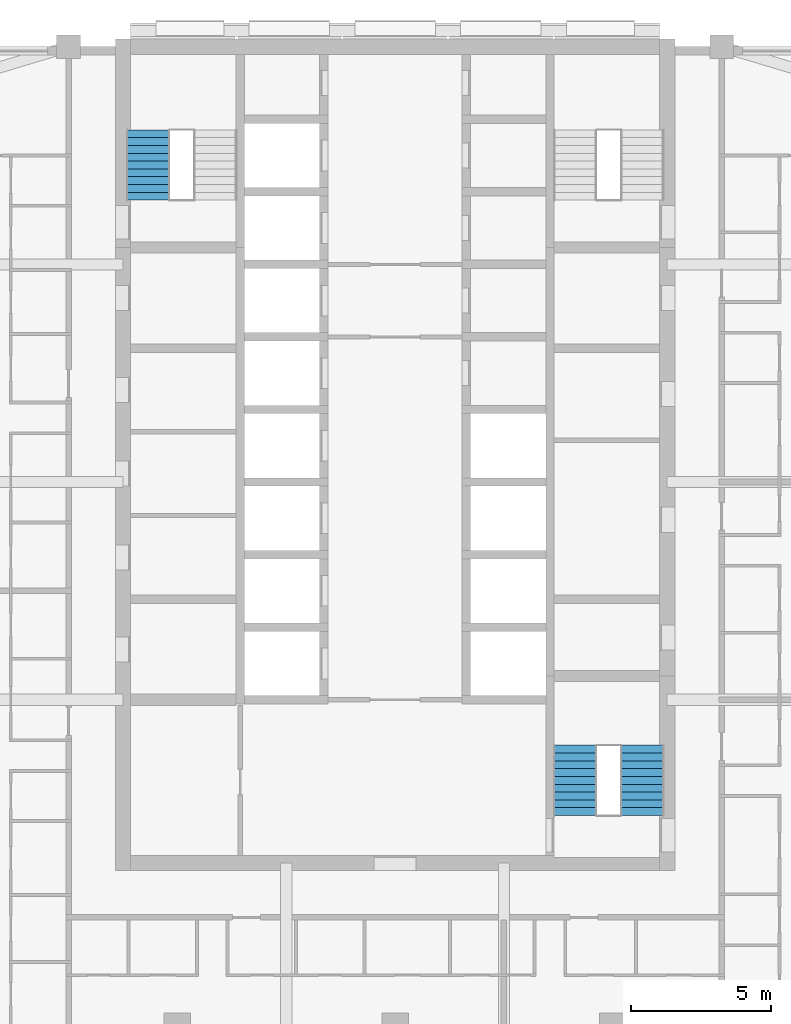
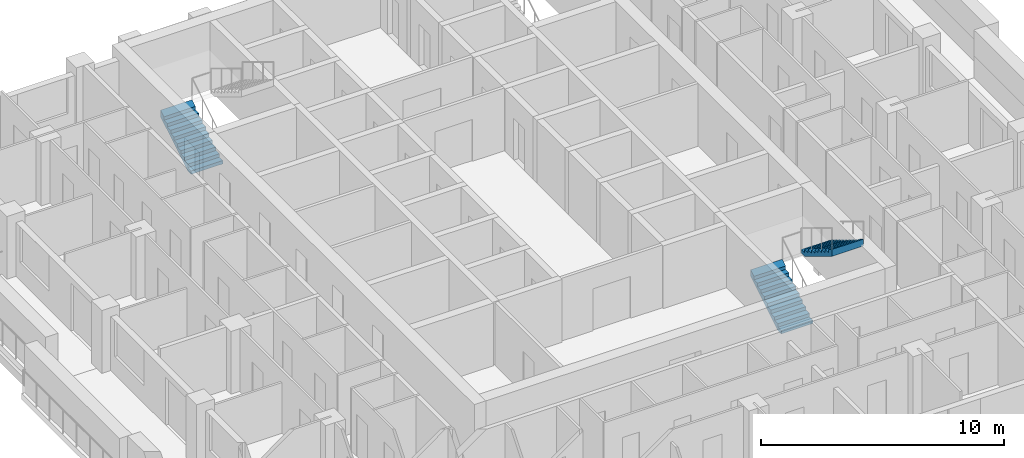
# One storey, part 11 of 14: 3 stair flights, 2 elements without a shape of their own.
"""IFC4 building model written with IfcOpenShell, lengths in metres."""

from ifc_helpers import new_model, si_unit, direction, frame, origin, place, context, subcontext, project, spatial, triangles, material, type_object, element, aggregate, save


model = new_model("IFC4")

# Units and contexts
model_context = context("Model", 3, precision=1e-05, world=origin(), true_north=direction((0.0, 1.0)))
body_context = subcontext(model_context, "Body", "Model", "MODEL_VIEW")
ifc_project = project(units=[si_unit("LENGTHUNIT", "METRE"), si_unit("AREAUNIT", "SQUARE_METRE"), si_unit("VOLUMEUNIT", "CUBIC_METRE"), si_unit("PLANEANGLEUNIT", "RADIAN"), si_unit("MASSUNIT", "GRAM", prefix="KILO")], contexts=[model_context])

# Site, building, storey
site_placement = place(None, origin())
site = spatial("IfcSite", under=ifc_project, at=site_placement, CompositionType="ELEMENT")
building_placement = place(site_placement, origin())
building = spatial("IfcBuilding", under=site, at=building_placement, Name="Ludao Terraces", CompositionType="ELEMENT")
storey_placement = place(building_placement, frame((0.0, 0.0, 99.89990234375)))
storey = spatial("IfcBuildingStorey", under=building, at=storey_placement, Name="L27", CompositionType="ELEMENT", Elevation=99.89990234375)

# Stair, stair flight
ifc_material = material(Name="Concrete C40", Category="concrete")
stair_type = type_object("IfcStairType", Name="INT Stair", PredefinedType="HALF_TURN_STAIR", material=ifc_material)
stair_1_placement = place(storey_placement, origin())
stair_1 = element("IfcStair", 1, at=stair_1_placement, inside=storey, type_object=stair_type, Name="EXIT STAIR 1", PredefinedType="HALF_TURN_STAIR")
stair_flight_type = type_object("IfcStairFlightType", Name="INT Stair flight", PredefinedType="STRAIGHT", material=ifc_material)
stair_flight_1_placement = place(storey_placement, frame((76.14990234375, 79.0, 0.0), z_axis=(0.0, 0.0, 1.0), x_axis=(0.0, 1.0, 0.0)))
stair_flight_1 = element("IfcStairFlight", 2, at=stair_flight_1_placement, type_object=stair_flight_type, Name="ST1 flight 1", NumberOfRisers=10, NumberOfTreads=9, PredefinedType="STRAIGHT", RiserHeight=0.17, TreadLength=0.28, context=body_context, shape_type="Tessellation", body=[
    triangles([(0.0, -0.75, 0.0), (0.0, -0.5, 0.0), (0.0, -0.25, 0.0), (0.0, 0.0, 0.0), (0.0, 0.25, 0.0), (0.0, 0.5, 0.0), (0.0, 0.75, 0.0), (0.0, -0.75, 0.169921875), (0.0, -0.5, 0.169921875), (0.0, -0.25, 0.169921875), (0.0, 0.0, 0.169921875), (0.0, 0.25, 0.169921875), (0.0, 0.5, 0.169921875), (0.0, 0.75, 0.169921875), (0.280029296875, -0.75, 0.169921875), (0.280029296875, -0.5, 0.169921875), (0.280029296875, -0.25, 0.169921875), (0.280029296875, 0.0, 0.169921875), (0.280029296875, 0.25, 0.169921875), (0.280029296875, 0.5, 0.169921875), (0.280029296875, 0.75, 0.169921875), (0.280029296875, -0.75, 0.340087890625), (0.280029296875, -0.5, 0.340087890625), (0.280029296875, -0.25, 0.340087890625), (0.280029296875, 0.0, 0.340087890625), (0.280029296875, 0.25, 0.340087890625), (0.280029296875, 0.5, 0.340087890625), (0.280029296875, 0.75, 0.340087890625), (0.56005859375, -0.75, 0.340087890625), (0.56005859375, -0.5, 0.340087890625), (0.56005859375, -0.25, 0.340087890625), (0.56005859375, 0.0, 0.340087890625), (0.56005859375, 0.25, 0.340087890625), (0.56005859375, 0.5, 0.340087890625), (0.56005859375, 0.75, 0.340087890625), (0.56005859375, -0.75, 0.510009765625), (0.56005859375, -0.5, 0.510009765625), (0.56005859375, -0.25, 0.510009765625), (0.56005859375, 0.0, 0.510009765625), (0.56005859375, 0.25, 0.510009765625), (0.56005859375, 0.5, 0.510009765625), (0.56005859375, 0.75, 0.510009765625), (0.840087890625, -0.75, 0.510009765625), (0.840087890625, -0.5, 0.510009765625), (0.840087890625, -0.25, 0.510009765625), (0.840087890625, 0.0, 0.510009765625), (0.840087890625, 0.25, 0.510009765625), (0.840087890625, 0.5, 0.510009765625), (0.840087890625, 0.75, 0.510009765625), (0.840087890625, -0.75, 0.679931640625), (0.840087890625, -0.5, 0.679931640625), (0.840087890625, -0.25, 0.679931640625), (0.840087890625, 0.0, 0.679931640625), (0.840087890625, 0.25, 0.679931640625), (0.840087890625, 0.5, 0.679931640625), (0.840087890625, 0.75, 0.679931640625), (1.1201171875, -0.75, 0.679931640625), (1.1201171875, -0.5, 0.679931640625), (1.1201171875, -0.25, 0.679931640625), (1.1201171875, 0.0, 0.679931640625), (1.1201171875, 0.25, 0.679931640625), (1.1201171875, 0.5, 0.679931640625), (1.1201171875, 0.75, 0.679931640625), (1.1201171875, -0.75, 0.85009765625), (1.1201171875, -0.5, 0.85009765625), (1.1201171875, -0.25, 0.85009765625), (1.1201171875, 0.0, 0.85009765625), (1.1201171875, 0.25, 0.85009765625), (1.1201171875, 0.5, 0.85009765625), (1.1201171875, 0.75, 0.85009765625), (1.39990234375, -0.75, 0.85009765625), (1.39990234375, -0.5, 0.85009765625), (1.39990234375, -0.25, 0.85009765625), (1.39990234375, 0.0, 0.85009765625), (1.39990234375, 0.25, 0.85009765625), (1.39990234375, 0.5, 0.85009765625), (1.39990234375, 0.75, 0.85009765625), (1.39990234375, -0.75, 1.02001953125), (1.39990234375, -0.5, 1.02001953125), (1.39990234375, -0.25, 1.02001953125), (1.39990234375, 0.0, 1.02001953125), (1.39990234375, 0.25, 1.02001953125), (1.39990234375, 0.5, 1.02001953125), (1.39990234375, 0.75, 1.02001953125), (1.679931640625, -0.75, 1.02001953125), (1.679931640625, -0.5, 1.02001953125), (1.679931640625, -0.25, 1.02001953125), (1.679931640625, 0.0, 1.02001953125), (1.679931640625, 0.25, 1.02001953125), (1.679931640625, 0.5, 1.02001953125), (1.679931640625, 0.75, 1.02001953125), (1.679931640625, -0.75, 1.18994140625), (1.679931640625, -0.5, 1.18994140625), (1.679931640625, -0.25, 1.18994140625), (1.679931640625, 0.0, 1.18994140625), (1.679931640625, 0.25, 1.18994140625), (1.679931640625, 0.5, 1.18994140625), (1.679931640625, 0.75, 1.18994140625), (1.9599609375, -0.75, 1.18994140625), (1.9599609375, -0.5, 1.18994140625), (1.9599609375, -0.25, 1.18994140625), (1.9599609375, 0.0, 1.18994140625), (1.9599609375, 0.25, 1.18994140625), (1.9599609375, 0.5, 1.18994140625), (1.9599609375, 0.75, 1.18994140625), (1.9599609375, -0.75, 1.360107421875), (1.9599609375, -0.5, 1.360107421875), (1.9599609375, -0.25, 1.360107421875), (1.9599609375, 0.0, 1.360107421875), (1.9599609375, 0.25, 1.360107421875), (1.9599609375, 0.5, 1.360107421875), (1.9599609375, 0.75, 1.360107421875), (2.239990234375, -0.75, 1.360107421875), (2.239990234375, -0.5, 1.360107421875), (2.239990234375, -0.25, 1.360107421875), (2.239990234375, 0.0, 1.360107421875), (2.239990234375, 0.25, 1.360107421875), (2.239990234375, 0.5, 1.360107421875), (2.239990234375, 0.75, 1.360107421875), (2.239990234375, -0.75, 1.530029296875), (2.239990234375, -0.5, 1.530029296875), (2.239990234375, -0.25, 1.530029296875), (2.239990234375, 0.0, 1.530029296875), (2.239990234375, 0.25, 1.530029296875), (2.239990234375, 0.5, 1.530029296875), (2.239990234375, 0.75, 1.530029296875), (2.52001953125, -0.75, 1.699951171875), (2.52001953125, -0.5, 1.699951171875), (2.52001953125, -0.25, 1.699951171875), (2.52001953125, 0.0, 1.699951171875), (2.52001953125, 0.25, 1.699951171875), (2.52001953125, 0.5, 1.699951171875), (2.52001953125, 0.75, 1.699951171875), (2.52001953125, -0.75, 1.354736328125), (2.52001953125, -0.5, 1.354736328125), (2.52001953125, -0.25, 1.354736328125), (2.52001953125, 0.0, 1.354736328125), (2.52001953125, 0.25, 1.354736328125), (2.52001953125, 0.5, 1.354736328125), (2.52001953125, 0.75, 1.354736328125), (0.288818359375, -0.75, 0.0), (0.288818359375, -0.5, 0.0), (0.288818359375, -0.25, 0.0), (0.288818359375, 0.0, 0.0), (0.288818359375, 0.25, 0.0), (0.288818359375, 0.5, 0.0), (0.288818359375, 0.75, 0.0)], [[1, 141, 134], [7, 140, 147], [134, 127, 120], [140, 126, 133], [134, 120, 113], [140, 119, 126], [134, 113, 106], [140, 112, 119], [134, 106, 99], [140, 105, 112], [99, 92, 85], [105, 91, 98], [134, 99, 85], [140, 91, 105], [85, 78, 71], [91, 77, 84], [134, 85, 71], [140, 77, 91], [71, 64, 57], [77, 63, 70], [134, 71, 57], [140, 63, 77], [57, 50, 43], [63, 49, 56], [134, 57, 43], [140, 49, 63], [43, 36, 29], [49, 35, 42], [134, 43, 29], [140, 35, 49], [29, 22, 15], [35, 21, 28], [134, 29, 15], [140, 21, 35], [1, 134, 15], [7, 21, 140], [15, 8, 1], [21, 7, 14], [1, 9, 2], [1, 8, 9], [2, 10, 3], [2, 9, 10], [3, 11, 4], [3, 10, 11], [4, 12, 5], [4, 11, 12], [5, 13, 6], [5, 12, 13], [6, 14, 7], [6, 13, 14], [8, 16, 9], [8, 15, 16], [9, 17, 10], [9, 16, 17], [10, 18, 11], [10, 17, 18], [11, 19, 12], [11, 18, 19], [12, 20, 13], [12, 19, 20], [13, 21, 14], [13, 20, 21], [15, 23, 16], [15, 22, 23], [16, 24, 17], [16, 23, 24], [17, 25, 18], [17, 24, 25], [18, 26, 19], [18, 25, 26], [19, 27, 20], [19, 26, 27], [20, 28, 21], [20, 27, 28], [22, 30, 23], [22, 29, 30], [23, 31, 24], [23, 30, 31], [24, 32, 25], [24, 31, 32], [25, 33, 26], [25, 32, 33], [26, 34, 27], [26, 33, 34], [27, 35, 28], [27, 34, 35], [29, 37, 30], [29, 36, 37], [30, 38, 31], [30, 37, 38], [31, 39, 32], [31, 38, 39], [32, 40, 33], [32, 39, 40], [33, 41, 34], [33, 40, 41], [34, 42, 35], [34, 41, 42], [36, 44, 37], [36, 43, 44], [37, 45, 38], [37, 44, 45], [38, 46, 39], [38, 45, 46], [39, 47, 40], [39, 46, 47], [40, 48, 41], [40, 47, 48], [41, 49, 42], [41, 48, 49], [43, 51, 44], [43, 50, 51], [44, 52, 45], [44, 51, 52], [45, 53, 46], [45, 52, 53], [46, 54, 47], [46, 53, 54], [47, 55, 48], [47, 54, 55], [48, 56, 49], [48, 55, 56], [50, 58, 51], [50, 57, 58], [51, 59, 52], [51, 58, 59], [52, 60, 53], [52, 59, 60], [53, 61, 54], [53, 60, 61], [54, 62, 55], [54, 61, 62], [55, 63, 56], [55, 62, 63], [57, 65, 58], [57, 64, 65], [58, 66, 59], [58, 65, 66], [59, 67, 60], [59, 66, 67], [60, 68, 61], [60, 67, 68], [61, 69, 62], [61, 68, 69], [62, 70, 63], [62, 69, 70], [64, 72, 65], [64, 71, 72], [65, 73, 66], [65, 72, 73], [66, 74, 67], [66, 73, 74], [67, 75, 68], [67, 74, 75], [68, 76, 69], [68, 75, 76], [69, 77, 70], [69, 76, 77], [71, 79, 72], [71, 78, 79], [72, 80, 73], [72, 79, 80], [73, 81, 74], [73, 80, 81], [74, 82, 75], [74, 81, 82], [75, 83, 76], [75, 82, 83], [76, 84, 77], [76, 83, 84], [78, 86, 79], [78, 85, 86], [79, 87, 80], [79, 86, 87], [80, 88, 81], [80, 87, 88], [81, 89, 82], [81, 88, 89], [82, 90, 83], [82, 89, 90], [83, 91, 84], [83, 90, 91], [85, 93, 86], [85, 92, 93], [86, 94, 87], [86, 93, 94], [87, 95, 88], [87, 94, 95], [88, 96, 89], [88, 95, 96], [89, 97, 90], [89, 96, 97], [90, 98, 91], [90, 97, 98], [92, 100, 93], [92, 99, 100], [93, 101, 94], [93, 100, 101], [94, 102, 95], [94, 101, 102], [95, 103, 96], [95, 102, 103], [96, 104, 97], [96, 103, 104], [97, 105, 98], [97, 104, 105], [99, 107, 100], [99, 106, 107], [100, 108, 101], [100, 107, 108], [101, 109, 102], [101, 108, 109], [102, 110, 103], [102, 109, 110], [103, 111, 104], [103, 110, 111], [104, 112, 105], [104, 111, 112], [106, 114, 107], [106, 113, 114], [107, 115, 108], [107, 114, 115], [108, 116, 109], [108, 115, 116], [109, 117, 110], [109, 116, 117], [110, 118, 111], [110, 117, 118], [111, 119, 112], [111, 118, 119], [113, 121, 114], [113, 120, 121], [114, 122, 115], [114, 121, 122], [115, 123, 116], [115, 122, 123], [116, 124, 117], [116, 123, 124], [117, 125, 118], [117, 124, 125], [118, 126, 119], [118, 125, 126], [120, 128, 121], [120, 127, 128], [121, 129, 122], [121, 128, 129], [122, 130, 123], [122, 129, 130], [123, 131, 124], [123, 130, 131], [124, 132, 125], [124, 131, 132], [125, 133, 126], [125, 132, 133], [127, 135, 128], [127, 134, 135], [128, 136, 129], [128, 135, 136], [129, 137, 130], [129, 136, 137], [130, 138, 131], [130, 137, 138], [131, 139, 132], [131, 138, 139], [132, 140, 133], [132, 139, 140], [134, 142, 135], [134, 141, 142], [135, 143, 136], [135, 142, 143], [136, 144, 137], [136, 143, 144], [137, 145, 138], [137, 144, 145], [138, 146, 139], [138, 145, 146], [139, 147, 140], [139, 146, 147], [141, 2, 142], [141, 1, 2], [142, 3, 143], [142, 2, 3], [143, 4, 144], [143, 3, 4], [144, 5, 145], [144, 4, 5], [145, 6, 146], [145, 5, 6], [146, 7, 147], [146, 6, 7]], closed=True),
])
aggregate(stair_1, [stair_flight_1])

# Stair, stair flights
stair_2_placement = place(storey_placement, origin())
stair_2 = element("IfcStair", 3, at=stair_2_placement, inside=storey, type_object=stair_type, Name="EXIT STAIR 3", PredefinedType="HALF_TURN_STAIR")
stair_flight_2_placement = place(storey_placement, frame((91.449951171875, 56.949951171875, 0.0), z_axis=(0.0, 0.0, 1.0), x_axis=(0.0, 1.0, 0.0)))
stair_flight_2 = element("IfcStairFlight", 4, at=stair_flight_2_placement, type_object=stair_flight_type, Name="ST3 flight 1", NumberOfRisers=10, NumberOfTreads=9, PredefinedType="STRAIGHT", RiserHeight=0.17, TreadLength=0.28, context=body_context, shape_type="Tessellation", body=[
    triangles([(0.0, -0.75, 0.0), (0.0, -0.5, 0.0), (0.0, -0.25, 0.0), (0.0, 0.0, 0.0), (0.0, 0.25, 0.0), (0.0, 0.5, 0.0), (0.0, 0.75, 0.0), (0.0, -0.75, 0.169921875), (0.0, -0.5, 0.169921875), (0.0, -0.25, 0.169921875), (0.0, 0.0, 0.169921875), (0.0, 0.25, 0.169921875), (0.0, 0.5, 0.169921875), (0.0, 0.75, 0.169921875), (0.280029296875, -0.75, 0.169921875), (0.280029296875, -0.5, 0.169921875), (0.280029296875, -0.25, 0.169921875), (0.280029296875, 0.0, 0.169921875), (0.280029296875, 0.25, 0.169921875), (0.280029296875, 0.5, 0.169921875), (0.280029296875, 0.75, 0.169921875), (0.280029296875, -0.75, 0.340087890625), (0.280029296875, -0.5, 0.340087890625), (0.280029296875, -0.25, 0.340087890625), (0.280029296875, 0.0, 0.340087890625), (0.280029296875, 0.25, 0.340087890625), (0.280029296875, 0.5, 0.340087890625), (0.280029296875, 0.75, 0.340087890625), (0.56005859375, -0.75, 0.340087890625), (0.56005859375, -0.5, 0.340087890625), (0.56005859375, -0.25, 0.340087890625), (0.56005859375, 0.0, 0.340087890625), (0.56005859375, 0.25, 0.340087890625), (0.56005859375, 0.5, 0.340087890625), (0.56005859375, 0.75, 0.340087890625), (0.56005859375, -0.75, 0.510009765625), (0.56005859375, -0.5, 0.510009765625), (0.56005859375, -0.25, 0.510009765625), (0.56005859375, 0.0, 0.510009765625), (0.56005859375, 0.25, 0.510009765625), (0.56005859375, 0.5, 0.510009765625), (0.56005859375, 0.75, 0.510009765625), (0.840087890625, -0.75, 0.510009765625), (0.840087890625, -0.5, 0.510009765625), (0.840087890625, -0.25, 0.510009765625), (0.840087890625, 0.0, 0.510009765625), (0.840087890625, 0.25, 0.510009765625), (0.840087890625, 0.5, 0.510009765625), (0.840087890625, 0.75, 0.510009765625), (0.840087890625, -0.75, 0.679931640625), (0.840087890625, -0.5, 0.679931640625), (0.840087890625, -0.25, 0.679931640625), (0.840087890625, 0.0, 0.679931640625), (0.840087890625, 0.25, 0.679931640625), (0.840087890625, 0.5, 0.679931640625), (0.840087890625, 0.75, 0.679931640625), (1.1201171875, -0.75, 0.679931640625), (1.1201171875, -0.5, 0.679931640625), (1.1201171875, -0.25, 0.679931640625), (1.1201171875, 0.0, 0.679931640625), (1.1201171875, 0.25, 0.679931640625), (1.1201171875, 0.5, 0.679931640625), (1.1201171875, 0.75, 0.679931640625), (1.1201171875, -0.75, 0.85009765625), (1.1201171875, -0.5, 0.85009765625), (1.1201171875, -0.25, 0.85009765625), (1.1201171875, 0.0, 0.85009765625), (1.1201171875, 0.25, 0.85009765625), (1.1201171875, 0.5, 0.85009765625), (1.1201171875, 0.75, 0.85009765625), (1.39990234375, -0.75, 0.85009765625), (1.39990234375, -0.5, 0.85009765625), (1.39990234375, -0.25, 0.85009765625), (1.39990234375, 0.0, 0.85009765625), (1.39990234375, 0.25, 0.85009765625), (1.39990234375, 0.5, 0.85009765625), (1.39990234375, 0.75, 0.85009765625), (1.39990234375, -0.75, 1.02001953125), (1.39990234375, -0.5, 1.02001953125), (1.39990234375, -0.25, 1.02001953125), (1.39990234375, 0.0, 1.02001953125), (1.39990234375, 0.25, 1.02001953125), (1.39990234375, 0.5, 1.02001953125), (1.39990234375, 0.75, 1.02001953125), (1.679931640625, -0.75, 1.02001953125), (1.679931640625, -0.5, 1.02001953125), (1.679931640625, -0.25, 1.02001953125), (1.679931640625, 0.0, 1.02001953125), (1.679931640625, 0.25, 1.02001953125), (1.679931640625, 0.5, 1.02001953125), (1.679931640625, 0.75, 1.02001953125), (1.679931640625, -0.75, 1.18994140625), (1.679931640625, -0.5, 1.18994140625), (1.679931640625, -0.25, 1.18994140625), (1.679931640625, 0.0, 1.18994140625), (1.679931640625, 0.25, 1.18994140625), (1.679931640625, 0.5, 1.18994140625), (1.679931640625, 0.75, 1.18994140625), (1.9599609375, -0.75, 1.18994140625), (1.9599609375, -0.5, 1.18994140625), (1.9599609375, -0.25, 1.18994140625), (1.9599609375, 0.0, 1.18994140625), (1.9599609375, 0.25, 1.18994140625), (1.9599609375, 0.5, 1.18994140625), (1.9599609375, 0.75, 1.18994140625), (1.9599609375, -0.75, 1.360107421875), (1.9599609375, -0.5, 1.360107421875), (1.9599609375, -0.25, 1.360107421875), (1.9599609375, 0.0, 1.360107421875), (1.9599609375, 0.25, 1.360107421875), (1.9599609375, 0.5, 1.360107421875), (1.9599609375, 0.75, 1.360107421875), (2.239990234375, -0.75, 1.360107421875), (2.239990234375, -0.5, 1.360107421875), (2.239990234375, -0.25, 1.360107421875), (2.239990234375, 0.0, 1.360107421875), (2.239990234375, 0.25, 1.360107421875), (2.239990234375, 0.5, 1.360107421875), (2.239990234375, 0.75, 1.360107421875), (2.239990234375, -0.75, 1.530029296875), (2.239990234375, -0.5, 1.530029296875), (2.239990234375, -0.25, 1.530029296875), (2.239990234375, 0.0, 1.530029296875), (2.239990234375, 0.25, 1.530029296875), (2.239990234375, 0.5, 1.530029296875), (2.239990234375, 0.75, 1.530029296875), (2.52001953125, -0.75, 1.699951171875), (2.52001953125, -0.5, 1.699951171875), (2.52001953125, -0.25, 1.699951171875), (2.52001953125, 0.0, 1.699951171875), (2.52001953125, 0.25, 1.699951171875), (2.52001953125, 0.5, 1.699951171875), (2.52001953125, 0.75, 1.699951171875), (2.52001953125, -0.75, 1.354736328125), (2.52001953125, -0.5, 1.354736328125), (2.52001953125, -0.25, 1.354736328125), (2.52001953125, 0.0, 1.354736328125), (2.52001953125, 0.25, 1.354736328125), (2.52001953125, 0.5, 1.354736328125), (2.52001953125, 0.75, 1.354736328125), (0.288818359375, -0.75, 0.0), (0.288818359375, -0.5, 0.0), (0.288818359375, -0.25, 0.0), (0.288818359375, 0.0, 0.0), (0.288818359375, 0.25, 0.0), (0.288818359375, 0.5, 0.0), (0.288818359375, 0.75, 0.0)], [[1, 141, 134], [7, 140, 147], [134, 127, 120], [140, 126, 133], [134, 120, 113], [140, 119, 126], [134, 113, 106], [140, 112, 119], [134, 106, 99], [140, 105, 112], [99, 92, 85], [105, 91, 98], [134, 99, 85], [140, 91, 105], [85, 78, 71], [91, 77, 84], [134, 85, 71], [140, 77, 91], [71, 64, 57], [77, 63, 70], [134, 71, 57], [140, 63, 77], [57, 50, 43], [63, 49, 56], [134, 57, 43], [140, 49, 63], [43, 36, 29], [49, 35, 42], [134, 43, 29], [140, 35, 49], [29, 22, 15], [35, 21, 28], [134, 29, 15], [140, 21, 35], [1, 134, 15], [7, 21, 140], [15, 8, 1], [21, 7, 14], [1, 9, 2], [1, 8, 9], [2, 10, 3], [2, 9, 10], [3, 11, 4], [3, 10, 11], [4, 12, 5], [4, 11, 12], [5, 13, 6], [5, 12, 13], [6, 14, 7], [6, 13, 14], [8, 16, 9], [8, 15, 16], [9, 17, 10], [9, 16, 17], [10, 18, 11], [10, 17, 18], [11, 19, 12], [11, 18, 19], [12, 20, 13], [12, 19, 20], [13, 21, 14], [13, 20, 21], [15, 23, 16], [15, 22, 23], [16, 24, 17], [16, 23, 24], [17, 25, 18], [17, 24, 25], [18, 26, 19], [18, 25, 26], [19, 27, 20], [19, 26, 27], [20, 28, 21], [20, 27, 28], [22, 30, 23], [22, 29, 30], [23, 31, 24], [23, 30, 31], [24, 32, 25], [24, 31, 32], [25, 33, 26], [25, 32, 33], [26, 34, 27], [26, 33, 34], [27, 35, 28], [27, 34, 35], [29, 37, 30], [29, 36, 37], [30, 38, 31], [30, 37, 38], [31, 39, 32], [31, 38, 39], [32, 40, 33], [32, 39, 40], [33, 41, 34], [33, 40, 41], [34, 42, 35], [34, 41, 42], [36, 44, 37], [36, 43, 44], [37, 45, 38], [37, 44, 45], [38, 46, 39], [38, 45, 46], [39, 47, 40], [39, 46, 47], [40, 48, 41], [40, 47, 48], [41, 49, 42], [41, 48, 49], [43, 51, 44], [43, 50, 51], [44, 52, 45], [44, 51, 52], [45, 53, 46], [45, 52, 53], [46, 54, 47], [46, 53, 54], [47, 55, 48], [47, 54, 55], [48, 56, 49], [48, 55, 56], [50, 58, 51], [50, 57, 58], [51, 59, 52], [51, 58, 59], [52, 60, 53], [52, 59, 60], [53, 61, 54], [53, 60, 61], [54, 62, 55], [54, 61, 62], [55, 63, 56], [55, 62, 63], [57, 65, 58], [57, 64, 65], [58, 66, 59], [58, 65, 66], [59, 67, 60], [59, 66, 67], [60, 68, 61], [60, 67, 68], [61, 69, 62], [61, 68, 69], [62, 70, 63], [62, 69, 70], [64, 72, 65], [64, 71, 72], [65, 73, 66], [65, 72, 73], [66, 74, 67], [66, 73, 74], [67, 75, 68], [67, 74, 75], [68, 76, 69], [68, 75, 76], [69, 77, 70], [69, 76, 77], [71, 79, 72], [71, 78, 79], [72, 80, 73], [72, 79, 80], [73, 81, 74], [73, 80, 81], [74, 82, 75], [74, 81, 82], [75, 83, 76], [75, 82, 83], [76, 84, 77], [76, 83, 84], [78, 86, 79], [78, 85, 86], [79, 87, 80], [79, 86, 87], [80, 88, 81], [80, 87, 88], [81, 89, 82], [81, 88, 89], [82, 90, 83], [82, 89, 90], [83, 91, 84], [83, 90, 91], [85, 93, 86], [85, 92, 93], [86, 94, 87], [86, 93, 94], [87, 95, 88], [87, 94, 95], [88, 96, 89], [88, 95, 96], [89, 97, 90], [89, 96, 97], [90, 98, 91], [90, 97, 98], [92, 100, 93], [92, 99, 100], [93, 101, 94], [93, 100, 101], [94, 102, 95], [94, 101, 102], [95, 103, 96], [95, 102, 103], [96, 104, 97], [96, 103, 104], [97, 105, 98], [97, 104, 105], [99, 107, 100], [99, 106, 107], [100, 108, 101], [100, 107, 108], [101, 109, 102], [101, 108, 109], [102, 110, 103], [102, 109, 110], [103, 111, 104], [103, 110, 111], [104, 112, 105], [104, 111, 112], [106, 114, 107], [106, 113, 114], [107, 115, 108], [107, 114, 115], [108, 116, 109], [108, 115, 116], [109, 117, 110], [109, 116, 117], [110, 118, 111], [110, 117, 118], [111, 119, 112], [111, 118, 119], [113, 121, 114], [113, 120, 121], [114, 122, 115], [114, 121, 122], [115, 123, 116], [115, 122, 123], [116, 124, 117], [116, 123, 124], [117, 125, 118], [117, 124, 125], [118, 126, 119], [118, 125, 126], [120, 128, 121], [120, 127, 128], [121, 129, 122], [121, 128, 129], [122, 130, 123], [122, 129, 130], [123, 131, 124], [123, 130, 131], [124, 132, 125], [124, 131, 132], [125, 133, 126], [125, 132, 133], [127, 135, 128], [127, 134, 135], [128, 136, 129], [128, 135, 136], [129, 137, 130], [129, 136, 137], [130, 138, 131], [130, 137, 138], [131, 139, 132], [131, 138, 139], [132, 140, 133], [132, 139, 140], [134, 142, 135], [134, 141, 142], [135, 143, 136], [135, 142, 143], [136, 144, 137], [136, 143, 144], [137, 145, 138], [137, 144, 145], [138, 146, 139], [138, 145, 146], [139, 147, 140], [139, 146, 147], [141, 2, 142], [141, 1, 2], [142, 3, 143], [142, 2, 3], [143, 4, 144], [143, 3, 4], [144, 5, 145], [144, 4, 5], [145, 6, 146], [145, 5, 6], [146, 7, 147], [146, 6, 7]], closed=True),
])
stair_flight_3_placement = place(storey_placement, frame((93.85009765625, 59.469970703125, 1.7001953125), z_axis=(0.0, 0.0, 1.0), x_axis=(0.0, -1.0, 0.0)))
stair_flight_3 = element("IfcStairFlight", 5, at=stair_flight_3_placement, type_object=stair_flight_type, Name="ST3 flight 2", NumberOfRisers=10, NumberOfTreads=9, PredefinedType="STRAIGHT", RiserHeight=0.17, TreadLength=0.28, context=body_context, shape_type="Tessellation", body=[
    triangles([(0.0, -0.75, 0.0), (0.0, -0.5, 0.0), (0.0, -0.25, 0.0), (0.0, 0.0, 0.0), (0.0, 0.25, 0.0), (0.0, 0.5, 0.0), (0.0, 0.75, 0.0), (0.0, -0.75, 0.169921875), (0.0, -0.5, 0.169921875), (0.0, -0.25, 0.169921875), (0.0, 0.0, 0.169921875), (0.0, 0.25, 0.169921875), (0.0, 0.5, 0.169921875), (0.0, 0.75, 0.169921875), (0.280029296875, -0.75, 0.169921875), (0.280029296875, -0.5, 0.169921875), (0.280029296875, -0.25, 0.169921875), (0.280029296875, 0.0, 0.169921875), (0.280029296875, 0.25, 0.169921875), (0.280029296875, 0.5, 0.169921875), (0.280029296875, 0.75, 0.169921875), (0.280029296875, -0.75, 0.340087890625), (0.280029296875, -0.5, 0.340087890625), (0.280029296875, -0.25, 0.340087890625), (0.280029296875, 0.0, 0.340087890625), (0.280029296875, 0.25, 0.340087890625), (0.280029296875, 0.5, 0.340087890625), (0.280029296875, 0.75, 0.340087890625), (0.56005859375, -0.75, 0.340087890625), (0.56005859375, -0.5, 0.340087890625), (0.56005859375, -0.25, 0.340087890625), (0.56005859375, 0.0, 0.340087890625), (0.56005859375, 0.25, 0.340087890625), (0.56005859375, 0.5, 0.340087890625), (0.56005859375, 0.75, 0.340087890625), (0.56005859375, -0.75, 0.510009765625), (0.56005859375, -0.5, 0.510009765625), (0.56005859375, -0.25, 0.510009765625), (0.56005859375, 0.0, 0.510009765625), (0.56005859375, 0.25, 0.510009765625), (0.56005859375, 0.5, 0.510009765625), (0.56005859375, 0.75, 0.510009765625), (0.840087890625, -0.75, 0.510009765625), (0.840087890625, -0.5, 0.510009765625), (0.840087890625, -0.25, 0.510009765625), (0.840087890625, 0.0, 0.510009765625), (0.840087890625, 0.25, 0.510009765625), (0.840087890625, 0.5, 0.510009765625), (0.840087890625, 0.75, 0.510009765625), (0.840087890625, -0.75, 0.679931640625), (0.840087890625, -0.5, 0.679931640625), (0.840087890625, -0.25, 0.679931640625), (0.840087890625, 0.0, 0.679931640625), (0.840087890625, 0.25, 0.679931640625), (0.840087890625, 0.5, 0.679931640625), (0.840087890625, 0.75, 0.679931640625), (1.1201171875, -0.75, 0.679931640625), (1.1201171875, -0.5, 0.679931640625), (1.1201171875, -0.25, 0.679931640625), (1.1201171875, 0.0, 0.679931640625), (1.1201171875, 0.25, 0.679931640625), (1.1201171875, 0.5, 0.679931640625), (1.1201171875, 0.75, 0.679931640625), (1.1201171875, -0.75, 0.85009765625), (1.1201171875, -0.5, 0.85009765625), (1.1201171875, -0.25, 0.85009765625), (1.1201171875, 0.0, 0.85009765625), (1.1201171875, 0.25, 0.85009765625), (1.1201171875, 0.5, 0.85009765625), (1.1201171875, 0.75, 0.85009765625), (1.39990234375, -0.75, 0.85009765625), (1.39990234375, -0.5, 0.85009765625), (1.39990234375, -0.25, 0.85009765625), (1.39990234375, 0.0, 0.85009765625), (1.39990234375, 0.25, 0.85009765625), (1.39990234375, 0.5, 0.85009765625), (1.39990234375, 0.75, 0.85009765625), (1.39990234375, -0.75, 1.02001953125), (1.39990234375, -0.5, 1.02001953125), (1.39990234375, -0.25, 1.02001953125), (1.39990234375, 0.0, 1.02001953125), (1.39990234375, 0.25, 1.02001953125), (1.39990234375, 0.5, 1.02001953125), (1.39990234375, 0.75, 1.02001953125), (1.679931640625, -0.75, 1.02001953125), (1.679931640625, -0.5, 1.02001953125), (1.679931640625, -0.25, 1.02001953125), (1.679931640625, 0.0, 1.02001953125), (1.679931640625, 0.25, 1.02001953125), (1.679931640625, 0.5, 1.02001953125), (1.679931640625, 0.75, 1.02001953125), (1.679931640625, -0.75, 1.18994140625), (1.679931640625, -0.5, 1.18994140625), (1.679931640625, -0.25, 1.18994140625), (1.679931640625, 0.0, 1.18994140625), (1.679931640625, 0.25, 1.18994140625), (1.679931640625, 0.5, 1.18994140625), (1.679931640625, 0.75, 1.18994140625), (1.9599609375, -0.75, 1.18994140625), (1.9599609375, -0.5, 1.18994140625), (1.9599609375, -0.25, 1.18994140625), (1.9599609375, 0.0, 1.18994140625), (1.9599609375, 0.25, 1.18994140625), (1.9599609375, 0.5, 1.18994140625), (1.9599609375, 0.75, 1.18994140625), (1.9599609375, -0.75, 1.360107421875), (1.9599609375, -0.5, 1.360107421875), (1.9599609375, -0.25, 1.360107421875), (1.9599609375, 0.0, 1.360107421875), (1.9599609375, 0.25, 1.360107421875), (1.9599609375, 0.5, 1.360107421875), (1.9599609375, 0.75, 1.360107421875), (2.239990234375, -0.75, 1.360107421875), (2.239990234375, -0.5, 1.360107421875), (2.239990234375, -0.25, 1.360107421875), (2.239990234375, 0.0, 1.360107421875), (2.239990234375, 0.25, 1.360107421875), (2.239990234375, 0.5, 1.360107421875), (2.239990234375, 0.75, 1.360107421875), (2.239990234375, -0.75, 1.530029296875), (2.239990234375, -0.5, 1.530029296875), (2.239990234375, -0.25, 1.530029296875), (2.239990234375, 0.0, 1.530029296875), (2.239990234375, 0.25, 1.530029296875), (2.239990234375, 0.5, 1.530029296875), (2.239990234375, 0.75, 1.530029296875), (2.52001953125, -0.75, 1.699951171875), (2.52001953125, -0.5, 1.699951171875), (2.52001953125, -0.25, 1.699951171875), (2.52001953125, 0.0, 1.699951171875), (2.52001953125, 0.25, 1.699951171875), (2.52001953125, 0.5, 1.699951171875), (2.52001953125, 0.75, 1.699951171875), (2.52001953125, -0.75, 1.354736328125), (2.52001953125, -0.5, 1.354736328125), (2.52001953125, -0.25, 1.354736328125), (2.52001953125, 0.0, 1.354736328125), (2.52001953125, 0.25, 1.354736328125), (2.52001953125, 0.5, 1.354736328125), (2.52001953125, 0.75, 1.354736328125), (0.288818359375, -0.75, 0.0), (0.288818359375, -0.5, 0.0), (0.288818359375, -0.25, 0.0), (0.288818359375, 0.0, 0.0), (0.288818359375, 0.25, 0.0), (0.288818359375, 0.5, 0.0), (0.288818359375, 0.75, 0.0)], [[1, 141, 134], [7, 140, 147], [134, 127, 120], [140, 126, 133], [134, 120, 113], [140, 119, 126], [134, 113, 106], [140, 112, 119], [134, 106, 99], [140, 105, 112], [99, 92, 85], [105, 91, 98], [134, 99, 85], [140, 91, 105], [85, 78, 71], [91, 77, 84], [134, 85, 71], [140, 77, 91], [71, 64, 57], [77, 63, 70], [134, 71, 57], [140, 63, 77], [57, 50, 43], [63, 49, 56], [134, 57, 43], [140, 49, 63], [43, 36, 29], [49, 35, 42], [134, 43, 29], [140, 35, 49], [29, 22, 15], [35, 21, 28], [134, 29, 15], [140, 21, 35], [1, 134, 15], [7, 21, 140], [15, 8, 1], [21, 7, 14], [1, 9, 2], [1, 8, 9], [2, 10, 3], [2, 9, 10], [3, 11, 4], [3, 10, 11], [4, 12, 5], [4, 11, 12], [5, 13, 6], [5, 12, 13], [6, 14, 7], [6, 13, 14], [8, 16, 9], [8, 15, 16], [9, 17, 10], [9, 16, 17], [10, 18, 11], [10, 17, 18], [11, 19, 12], [11, 18, 19], [12, 20, 13], [12, 19, 20], [13, 21, 14], [13, 20, 21], [15, 23, 16], [15, 22, 23], [16, 24, 17], [16, 23, 24], [17, 25, 18], [17, 24, 25], [18, 26, 19], [18, 25, 26], [19, 27, 20], [19, 26, 27], [20, 28, 21], [20, 27, 28], [22, 30, 23], [22, 29, 30], [23, 31, 24], [23, 30, 31], [24, 32, 25], [24, 31, 32], [25, 33, 26], [25, 32, 33], [26, 34, 27], [26, 33, 34], [27, 35, 28], [27, 34, 35], [29, 37, 30], [29, 36, 37], [30, 38, 31], [30, 37, 38], [31, 39, 32], [31, 38, 39], [32, 40, 33], [32, 39, 40], [33, 41, 34], [33, 40, 41], [34, 42, 35], [34, 41, 42], [36, 44, 37], [36, 43, 44], [37, 45, 38], [37, 44, 45], [38, 46, 39], [38, 45, 46], [39, 47, 40], [39, 46, 47], [40, 48, 41], [40, 47, 48], [41, 49, 42], [41, 48, 49], [43, 51, 44], [43, 50, 51], [44, 52, 45], [44, 51, 52], [45, 53, 46], [45, 52, 53], [46, 54, 47], [46, 53, 54], [47, 55, 48], [47, 54, 55], [48, 56, 49], [48, 55, 56], [50, 58, 51], [50, 57, 58], [51, 59, 52], [51, 58, 59], [52, 60, 53], [52, 59, 60], [53, 61, 54], [53, 60, 61], [54, 62, 55], [54, 61, 62], [55, 63, 56], [55, 62, 63], [57, 65, 58], [57, 64, 65], [58, 66, 59], [58, 65, 66], [59, 67, 60], [59, 66, 67], [60, 68, 61], [60, 67, 68], [61, 69, 62], [61, 68, 69], [62, 70, 63], [62, 69, 70], [64, 72, 65], [64, 71, 72], [65, 73, 66], [65, 72, 73], [66, 74, 67], [66, 73, 74], [67, 75, 68], [67, 74, 75], [68, 76, 69], [68, 75, 76], [69, 77, 70], [69, 76, 77], [71, 79, 72], [71, 78, 79], [72, 80, 73], [72, 79, 80], [73, 81, 74], [73, 80, 81], [74, 82, 75], [74, 81, 82], [75, 83, 76], [75, 82, 83], [76, 84, 77], [76, 83, 84], [78, 86, 79], [78, 85, 86], [79, 87, 80], [79, 86, 87], [80, 88, 81], [80, 87, 88], [81, 89, 82], [81, 88, 89], [82, 90, 83], [82, 89, 90], [83, 91, 84], [83, 90, 91], [85, 93, 86], [85, 92, 93], [86, 94, 87], [86, 93, 94], [87, 95, 88], [87, 94, 95], [88, 96, 89], [88, 95, 96], [89, 97, 90], [89, 96, 97], [90, 98, 91], [90, 97, 98], [92, 100, 93], [92, 99, 100], [93, 101, 94], [93, 100, 101], [94, 102, 95], [94, 101, 102], [95, 103, 96], [95, 102, 103], [96, 104, 97], [96, 103, 104], [97, 105, 98], [97, 104, 105], [99, 107, 100], [99, 106, 107], [100, 108, 101], [100, 107, 108], [101, 109, 102], [101, 108, 109], [102, 110, 103], [102, 109, 110], [103, 111, 104], [103, 110, 111], [104, 112, 105], [104, 111, 112], [106, 114, 107], [106, 113, 114], [107, 115, 108], [107, 114, 115], [108, 116, 109], [108, 115, 116], [109, 117, 110], [109, 116, 117], [110, 118, 111], [110, 117, 118], [111, 119, 112], [111, 118, 119], [113, 121, 114], [113, 120, 121], [114, 122, 115], [114, 121, 122], [115, 123, 116], [115, 122, 123], [116, 124, 117], [116, 123, 124], [117, 125, 118], [117, 124, 125], [118, 126, 119], [118, 125, 126], [120, 128, 121], [120, 127, 128], [121, 129, 122], [121, 128, 129], [122, 130, 123], [122, 129, 130], [123, 131, 124], [123, 130, 131], [124, 132, 125], [124, 131, 132], [125, 133, 126], [125, 132, 133], [127, 135, 128], [127, 134, 135], [128, 136, 129], [128, 135, 136], [129, 137, 130], [129, 136, 137], [130, 138, 131], [130, 137, 138], [131, 139, 132], [131, 138, 139], [132, 140, 133], [132, 139, 140], [134, 142, 135], [134, 141, 142], [135, 143, 136], [135, 142, 143], [136, 144, 137], [136, 143, 144], [137, 145, 138], [137, 144, 145], [138, 146, 139], [138, 145, 146], [139, 147, 140], [139, 146, 147], [141, 2, 142], [141, 1, 2], [142, 3, 143], [142, 2, 3], [143, 4, 144], [143, 3, 4], [144, 5, 145], [144, 4, 5], [145, 6, 146], [145, 5, 6], [146, 7, 147], [146, 6, 7]], closed=True),
])
aggregate(stair_2, [stair_flight_2, stair_flight_3])

save(model, "model.ifc")
